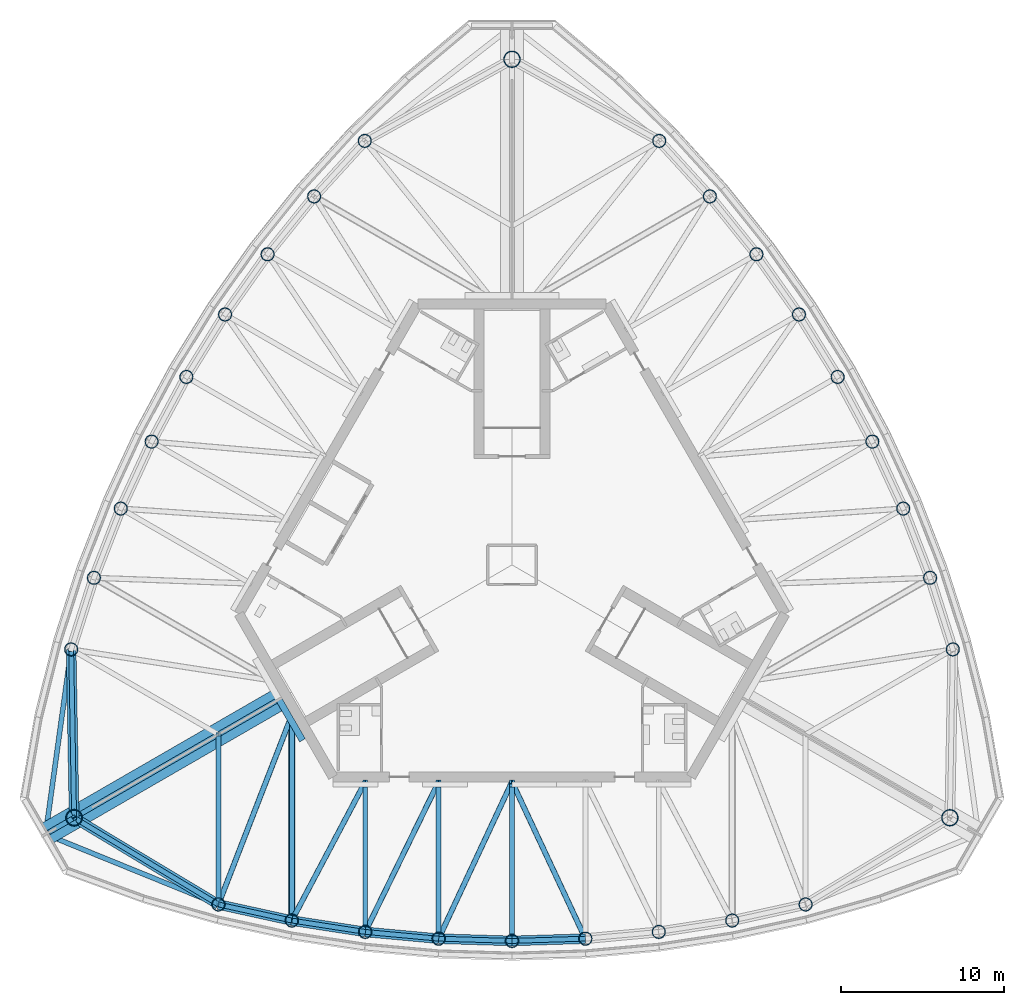
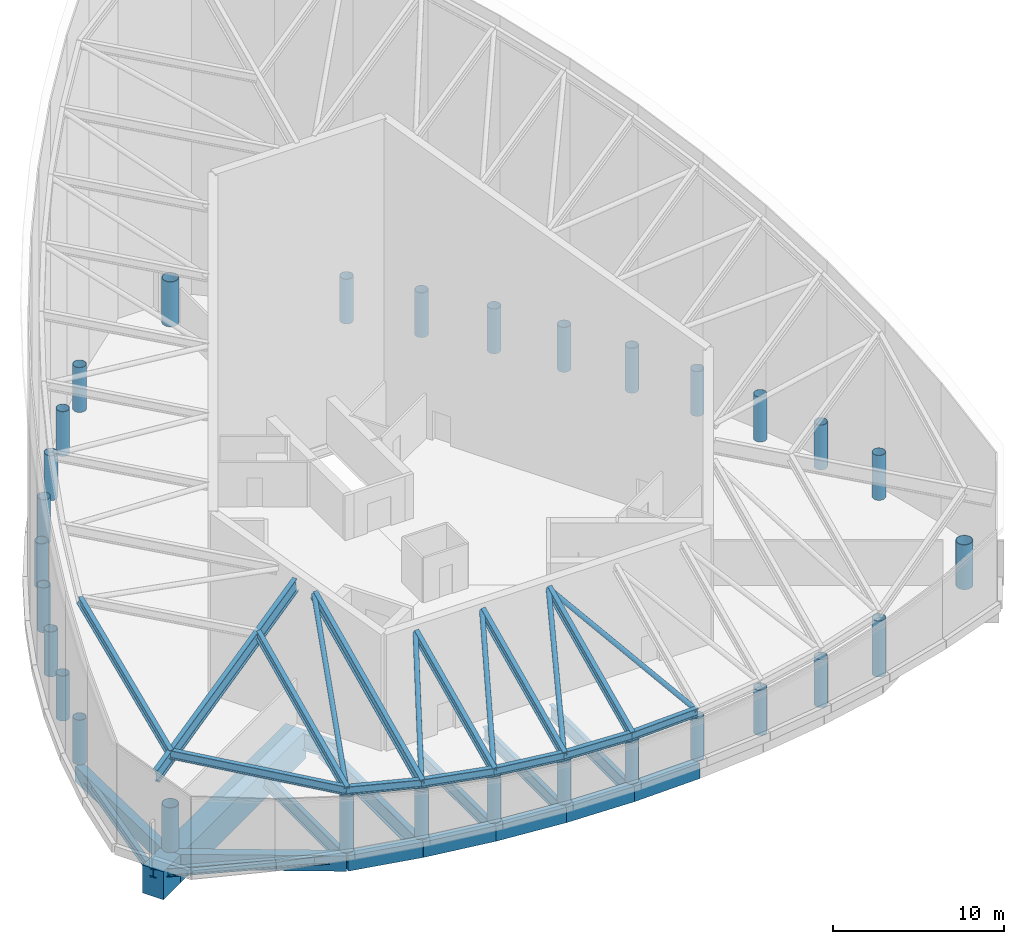
# One storey, part 1 of 10: 31 beams, 30 columns, 5 members.
"""IFC4 building model written with IfcOpenShell, lengths in metres."""

from ifc_helpers import new_model, si_unit, direction, frame, origin, origin_2d, place, context, subcontext, project, spatial, rectangle, hollow_circle, i_section, extrude, material, material_profile, profile_set, type_object, element, save


model = new_model("IFC4")

# Units and contexts
model_context = context("Model", 3, precision=1e-05, world=origin(), true_north=direction((0.0, 1.0)))
body_context = subcontext(model_context, "Body", "Model", "MODEL_VIEW")
ifc_project = project(units=[si_unit("LENGTHUNIT", "METRE"), si_unit("AREAUNIT", "SQUARE_METRE"), si_unit("VOLUMEUNIT", "CUBIC_METRE"), si_unit("PLANEANGLEUNIT", "RADIAN"), si_unit("MASSUNIT", "GRAM", prefix="KILO")], contexts=[model_context])

# Site, building, storey
site_placement = place(None, origin())
site = spatial("IfcSite", under=ifc_project, at=site_placement, CompositionType="ELEMENT")
building_placement = place(site_placement, origin())
building = spatial("IfcBuilding", under=site, at=building_placement, Name="Trefoil Bronze Tower", CompositionType="ELEMENT")
storey_placement = place(building_placement, frame((0.0, 0.0, 328.5)))
storey = spatial("IfcBuildingStorey", under=building, at=storey_placement, Name="RF", CompositionType="ELEMENT", Elevation=328.5)

# Columns
ifc_material_1 = material(Name="Steel C355", Category="steel")
ifc_material_profile_1 = material_profile(ifc_material_1, hollow_circle(Radius=0.406494140625, WallThickness=0.030029296875, at=origin_2d()), Name="CHS 813x30")
ifc_profile_set_1 = profile_set([ifc_material_profile_1], Name="Steel C355")
column_type_1 = type_object("IfcColumnType", Name="Crown column CHS 813x30", PredefinedType="COLUMN", material=ifc_profile_set_1)
column_1_placement = place(storey_placement, frame((-18.0, -20.816162109375, 0.0), z_axis=(0.0, 0.0, 1.0), x_axis=(1.0, 0.0, 0.0)))
element("IfcColumn", 1, at=column_1_placement, inside=storey, type_object=column_type_1, Name="Crown column F1/-4", PredefinedType="COLUMN", context=body_context, shape_type="SweptSolid", body=[
    extrude(hollow_circle(Radius=0.406494140625, WallThickness=0.030029296875, at=origin_2d()), origin(), (0.0, 0.0, 1.0), 4.006591796875),
])
column_2_placement = place(storey_placement, frame((-13.5, -21.802734375, 0.0), z_axis=(0.0, 0.0, 1.0), x_axis=(1.0, 0.0, 0.0)))
element("IfcColumn", 2, at=column_2_placement, inside=storey, type_object=column_type_1, Name="Crown column F1/-3", PredefinedType="COLUMN", context=body_context, shape_type="SweptSolid", body=[
    extrude(hollow_circle(Radius=0.406494140625, WallThickness=0.030029296875, at=origin_2d()), origin(), (0.0, 0.0, 1.0), 3.424560546875),
])
column_3_placement = place(storey_placement, frame((-9.0, -22.499267578125, 0.0), z_axis=(0.0, 0.0, 1.0), x_axis=(1.0, 0.0, 0.0)))
element("IfcColumn", 3, at=column_3_placement, inside=storey, type_object=column_type_1, Name="Crown column F1/-2", PredefinedType="COLUMN", context=body_context, shape_type="SweptSolid", body=[
    extrude(hollow_circle(Radius=0.406494140625, WallThickness=0.030029296875, at=origin_2d()), origin(), (0.0, 0.0, 1.0), 3.2216796875),
])
column_4_placement = place(storey_placement, frame((-4.5, -22.913818359375, 0.0), z_axis=(0.0, 0.0, 1.0), x_axis=(1.0, 0.0, 0.0)))
element("IfcColumn", 4, at=column_4_placement, inside=storey, type_object=column_type_1, Name="Crown column F1/-1", PredefinedType="COLUMN", context=body_context, shape_type="SweptSolid", body=[
    extrude(hollow_circle(Radius=0.406494140625, WallThickness=0.030029296875, at=origin_2d()), origin(), (0.0, 0.0, 1.0), 3.0283203125),
])
column_5_placement = place(storey_placement, frame((0.0, -23.051513671875, 0.0), z_axis=(0.0, 0.0, 1.0), x_axis=(1.0, 0.0, 0.0)))
element("IfcColumn", 5, at=column_5_placement, inside=storey, type_object=column_type_1, Name="Crown column F1/+0", PredefinedType="COLUMN", context=body_context, shape_type="SweptSolid", body=[
    extrude(hollow_circle(Radius=0.406494140625, WallThickness=0.030029296875, at=origin_2d()), origin(), (0.0, 0.0, 1.0), 2.964111328125),
])
column_6_placement = place(storey_placement, frame((4.5, -22.913818359375, 0.0), z_axis=(0.0, 0.0, 1.0), x_axis=(1.0, 0.0, 0.0)))
element("IfcColumn", 6, at=column_6_placement, inside=storey, type_object=column_type_1, Name="Crown column F1/+1", PredefinedType="COLUMN", context=body_context, shape_type="SweptSolid", body=[
    extrude(hollow_circle(Radius=0.406494140625, WallThickness=0.030029296875, at=origin_2d()), origin(), (0.0, 0.0, 1.0), 3.0283203125),
])
column_7_placement = place(storey_placement, frame((9.0, -22.499267578125, 0.0), z_axis=(0.0, 0.0, 1.0), x_axis=(1.0, 0.0, 0.0)))
element("IfcColumn", 7, at=column_7_placement, inside=storey, type_object=column_type_1, Name="Crown column F1/+2", PredefinedType="COLUMN", context=body_context, shape_type="SweptSolid", body=[
    extrude(hollow_circle(Radius=0.406494140625, WallThickness=0.030029296875, at=origin_2d()), origin(), (0.0, 0.0, 1.0), 3.2216796875),
])
column_8_placement = place(storey_placement, frame((13.5, -21.802734375, 0.0), z_axis=(0.0, 0.0, 1.0), x_axis=(1.0, 0.0, 0.0)))
element("IfcColumn", 8, at=column_8_placement, inside=storey, type_object=column_type_1, Name="Crown column F1/+3", PredefinedType="COLUMN", context=body_context, shape_type="SweptSolid", body=[
    extrude(hollow_circle(Radius=0.406494140625, WallThickness=0.030029296875, at=origin_2d()), origin(), (0.0, 0.0, 1.0), 3.424560546875),
])
column_9_placement = place(storey_placement, frame((18.0, -20.816162109375, 0.0), z_axis=(0.0, 0.0, 1.0), x_axis=(1.0, 0.0, 0.0)))
element("IfcColumn", 9, at=column_9_placement, inside=storey, type_object=column_type_1, Name="Crown column F1/+4", PredefinedType="COLUMN", context=body_context, shape_type="SweptSolid", body=[
    extrude(hollow_circle(Radius=0.406494140625, WallThickness=0.030029296875, at=origin_2d()), origin(), (0.0, 0.0, 1.0), 4.006591796875),
])
for number, where, z_axis, x_axis, name in (
    (10, (27.02734375, -5.180419921875, 0.0), (0.0, 0.0, 1.0), (1.0, 0.0, 0.0), "Crown column F2/-4"),
    (11, (25.631591796875, -0.7900390625, 0.0), (0.0, 0.0, 1.0), (1.0, 0.0, 0.0), "Crown column F2/-3"),
    (12, (23.98486328125, 3.455322265625, 0.0), (0.0, 0.0, 1.0), (1.0, 0.0, 0.0), "Crown column F2/-2"),
    (13, (22.093994140625, 7.559814453125, 0.0), (0.0, 0.0, 1.0), (1.0, 0.0, 0.0), "Crown column F2/-1"),
    (14, (19.96337890625, 11.52587890625, 0.0), (0.0, 0.0, 1.0), (1.0, 0.0, 0.0), "Crown column F2/+0"),
    (15, (17.593994140625, 15.35400390625, 0.0), (0.0, 0.0, 1.0), (1.0, 0.0, 0.0), "Crown column F2/+1"),
    (16, (14.98486328125, 19.043701171875, 0.0), (0.0, 0.0, 1.0), (1.0, 0.0, 0.0), "Crown column F2/+2"),
    (17, (12.131591796875, 22.5927734375, 0.0), (0.0, 0.0, 1.0), (1.0, 0.0, 0.0), "Crown column F2/+3"),
    (18, (9.02734375, 25.99658203125, 0.0), (0.0, 0.0, 1.0), (1.0, 0.0, 0.0), "Crown column F2/+4"),
    (19, (-9.02734375, 25.99658203125, 0.0), (0.0, 0.0, 1.0), (1.0, 0.0, 0.0), "Crown column F3/-4"),
    (20, (-12.131591796875, 22.5927734375, 0.0), (0.0, 0.0, 1.0), (1.0, 0.0, 0.0), "Crown column F3/-3"),
    (21, (-14.98486328125, 19.043701171875, 0.0), (0.0, 0.0, 1.0), (1.0, 0.0, 0.0), "Crown column F3/-2"),
    (22, (-17.593994140625, 15.35400390625, 0.0), (0.0, 0.0, 1.0), (1.0, 0.0, 0.0), "Crown column F3/-1"),
    (23, (-19.96337890625, 11.52587890625, 0.0), (0.0, 0.0, 1.0), (1.0, 0.0, 0.0), "Crown column F3/+0"),
    (24, (-22.093994140625, 7.559814453125, 0.0), (0.0, 0.0, 1.0), (1.0, 0.0, 0.0), "Crown column F3/+1"),
    (25, (-23.98486328125, 3.455322265625, 0.0), (0.0, 0.0, 1.0), (1.0, 0.0, 0.0), "Crown column F3/+2"),
    (26, (-25.631591796875, -0.7900390625, 0.0), (0.0, 0.0, 1.0), (1.0, 0.0, 0.0), "Crown column F3/+3"),
    (27, (-27.02734375, -5.180419921875, 0.0), (0.0, 0.0, 1.0), (1.0, 0.0, 0.0), "Crown column F3/+4"),
):
    element("IfcColumn", number, at=place(storey_placement, frame(where, z_axis=z_axis, x_axis=x_axis)), inside=storey, type_object=column_type_1, Name=name, PredefinedType="COLUMN", context=body_context, shape_type="SweptSolid", body=[
        extrude(hollow_circle(Radius=0.406494140625, WallThickness=0.030029296875, at=origin_2d()), origin(), (0.0, 0.0, 1.0), 3.199951171875),
    ])
ifc_material_2 = material(Name="Steel C355", Category="steel")
ifc_material_profile_2 = material_profile(ifc_material_2, hollow_circle(Radius=0.508056640625, WallThickness=0.0400390625, at=origin_2d()), Name="CHS 1016x40")
ifc_profile_set_2 = profile_set([ifc_material_profile_2], Name="Steel C355")
column_type_2 = type_object("IfcColumnType", Name="Crown mega column CHS 1016x40", PredefinedType="COLUMN", material=ifc_profile_set_2)
for number, where, z_axis, x_axis, name in (
    (28, (26.8466796875, -15.5, 0.0), (0.0, 0.0, 1.0), (1.0, 0.0, 0.0), "Crown corner column K1"),
    (29, (0.0, 31.0, 0.0), (0.0, 0.0, 1.0), (1.0, 0.0, 0.0), "Crown corner column K2"),
    (30, (-26.8466796875, -15.5, 0.0), (0.0, 0.0, 1.0), (1.0, 0.0, 0.0), "Crown corner column K3"),
):
    element("IfcColumn", number, at=place(storey_placement, frame(where, z_axis=z_axis, x_axis=x_axis)), inside=storey, type_object=column_type_2, Name=name, PredefinedType="COLUMN", context=body_context, shape_type="SweptSolid", body=[
        extrude(hollow_circle(Radius=0.508056640625, WallThickness=0.0400390625, at=origin_2d()), origin(), (0.0, 0.0, 1.0), 3.199951171875),
    ])

# Beams
ifc_material_3 = material(Name="Steel C355", Category="steel")
ifc_material_profile_3 = material_profile(ifc_material_3, i_section(OverallWidth=0.39990234375, OverallDepth=1.199951171875, WebThickness=0.02001953125, FlangeThickness=0.0400390625, FilletRadius=0.010009765625, at=origin_2d()), Name="WPG 1200")
ifc_profile_set_3 = profile_set([ifc_material_profile_3], Name="Steel C355")
beam_type_1 = type_object("IfcBeamType", Name="Core seat beam WPG 1200", PredefinedType="BEAM", material=ifc_profile_set_3)
beam_1_placement = place(storey_placement, frame((-14.289306640625, -8.25, -0.85009765625), z_axis=(0.499995765644, -0.866027848477, 0.0), x_axis=(0.866027848477, 0.499995765644, 0.0)))
element("IfcBeam", 31, at=beam_1_placement, inside=storey, type_object=beam_type_1, Name="Core seat beam F1/-3 RF", PredefinedType="BEAM", context=body_context, shape_type="SweptSolid", body=[
    extrude(i_section(OverallWidth=0.39990234375, OverallDepth=1.199951171875, WebThickness=0.02001953125, FlangeThickness=0.0400390625, FilletRadius=0.010009765625, at=origin_2d()), origin(), (0.0, 0.0, 1.0), 2.88671875),
])
ifc_material_4 = material(Name="Concrete B80", Category="concrete")
ifc_material_profile_4 = material_profile(ifc_material_4, rectangle(XDim=1.39990234375, YDim=2.0, at=origin_2d()), Name="RC 1400x2000")
ifc_profile_set_4 = profile_set([ifc_material_profile_4], Name="Concrete B80")
beam_type_2 = type_object("IfcBeamType", Name="Corner cantilever RC 1400x2000", PredefinedType="BEAM", material=ifc_profile_set_4)
beam_2_placement = place(storey_placement, frame((-26.8466796875, -15.5, -1.25), z_axis=(-0.866010470582, -0.500025864173, 0.0), x_axis=(0.500025864173, -0.866010470582, 0.0)))
element("IfcBeam", 32, at=beam_2_placement, inside=storey, type_object=beam_type_2, Name="Corner cantilever K3 RF", PredefinedType="BEAM", context=body_context, shape_type="SweptSolid", body=[
    extrude(rectangle(XDim=1.39990234375, YDim=2.0, at=origin_2d()), origin(), (0.0, 0.0, 1.0), 2.02001953125),
])
ifc_material_5 = material(Name="Steel C355", Category="steel")
ifc_material_profile_5 = material_profile(ifc_material_5, i_section(OverallWidth=0.300048828125, OverallDepth=0.60009765625, WebThickness=0.015380859375, FlangeThickness=0.030029296875, FilletRadius=0.027099609375, at=origin_2d()), Name="HEB 600")
ifc_profile_set_5 = profile_set([ifc_material_profile_5], Name="Steel C355")
beam_type_3 = type_object("IfcBeamType", Name="Corner edge beam HEB 600", PredefinedType="BEAM", material=ifc_profile_set_5)
beam_3_placement = place(storey_placement, frame((-18.0, -20.816162109375, -0.550048828125), z_axis=(-0.926419351914, 0.376493272714, 0.0), x_axis=(-0.376493272714, -0.926419351914, 0.0)))
element("IfcBeam", 33, at=beam_3_placement, inside=storey, type_object=beam_type_3, Name="Corner edge beam F1B RF", PredefinedType="BEAM", context=body_context, shape_type="SweptSolid", body=[
    extrude(i_section(OverallWidth=0.300048828125, OverallDepth=0.60009765625, WebThickness=0.015380859375, FlangeThickness=0.030029296875, FilletRadius=0.027099609375, at=origin_2d()), origin(), (0.0, 0.0, 1.0), 11.4375),
])
beam_4_placement = place(storey_placement, frame((-27.02734375, -5.180419921875, -0.550048828125), z_axis=(-0.137143714313, -0.990551160529, 0.0), x_axis=(0.990551160529, -0.137143714313, 0.0)))
element("IfcBeam", 34, at=beam_4_placement, inside=storey, type_object=beam_type_3, Name="Corner edge beam F3A RF", PredefinedType="BEAM", context=body_context, shape_type="SweptSolid", body=[
    extrude(i_section(OverallWidth=0.300048828125, OverallDepth=0.60009765625, WebThickness=0.015380859375, FlangeThickness=0.030029296875, FilletRadius=0.027099609375, at=origin_2d()), origin(), (0.0, 0.0, 1.0), 11.437744140625),
])
ifc_material_6 = material(Name="Concrete B80", Category="concrete")
ifc_material_profile_6 = material_profile(ifc_material_6, rectangle(XDim=1.39990234375, YDim=2.0, at=origin_2d()), Name="RC 1400x2000")
ifc_profile_set_6 = profile_set([ifc_material_profile_6], Name="Concrete B80")
beam_type_4 = type_object("IfcBeamType", Name="Corner girder RC 1400x2000", PredefinedType="BEAM", material=ifc_profile_set_6)
beam_5_placement = place(storey_placement, frame((-14.1162109375, -8.14990234375, -1.25), z_axis=(-0.86602074674, -0.500008066151, 0.0), x_axis=(0.500008066151, -0.86602074674, 0.0)))
element("IfcBeam", 35, at=beam_5_placement, inside=storey, type_object=beam_type_4, Name="Corner girder K3 RF", PredefinedType="BEAM", context=body_context, shape_type="SweptSolid", body=[
    extrude(rectangle(XDim=1.39990234375, YDim=2.0, at=origin_2d()), origin(), (0.0, 0.0, 1.0), 14.699951171875),
])
ifc_material_7 = material(Name="Steel C355", Category="steel")
ifc_material_profile_7 = material_profile(ifc_material_7, i_section(OverallWidth=0.300048828125, OverallDepth=0.60009765625, WebThickness=0.015380859375, FlangeThickness=0.030029296875, FilletRadius=0.027099609375, at=origin_2d()), Name="HEB 600")
ifc_profile_set_7 = profile_set([ifc_material_profile_7], Name="Steel C355")
beam_type_5 = type_object("IfcBeamType", Name="Crown edge beam HEB 600", PredefinedType="BEAM", material=ifc_profile_set_7)
beam_6_placement = place(storey_placement, frame((-26.8466796875, -15.5, 6.748046875), z_axis=(0.833418205119, -0.500819114043, -0.233654253941), x_axis=(0.515076563855, 0.857144173035, 0.0)))
element("IfcBeam", 36, at=beam_6_placement, inside=storey, type_object=beam_type_5, Name="Crown edge beam F1.1", PredefinedType="BEAM", context=body_context, shape_type="SweptSolid", body=[
    extrude(i_section(OverallWidth=0.300048828125, OverallDepth=0.60009765625, WebThickness=0.015380859375, FlangeThickness=0.030029296875, FilletRadius=0.027099609375, at=origin_2d()), origin(), (0.0, 0.0, 1.0), 10.614990234375),
])
beam_7_placement = place(storey_placement, frame((-18.0, -20.816162109375, 4.267822265625), z_axis=(0.971962746474, -0.213091441976, -0.099400487039), x_axis=(0.214152028182, 0.976800342355, 0.0)))
element("IfcBeam", 37, at=beam_7_placement, inside=storey, type_object=beam_type_5, Name="Crown edge beam F1.2", PredefinedType="BEAM", context=body_context, shape_type="SweptSolid", body=[
    extrude(i_section(OverallWidth=0.300048828125, OverallDepth=0.60009765625, WebThickness=0.015380859375, FlangeThickness=0.030029296875, FilletRadius=0.027099609375, at=origin_2d()), origin(), (0.0, 0.0, 1.0), 4.6298828125),
])
beam_8_placement = place(storey_placement, frame((-13.5, -21.802734375, 3.8076171875), z_axis=(0.985728869191, -0.152576197038, -0.071127354385), x_axis=(0.152963616816, 0.988231820946, 0.0)))
element("IfcBeam", 38, at=beam_8_placement, inside=storey, type_object=beam_type_5, Name="Crown edge beam F1.3", PredefinedType="BEAM", context=body_context, shape_type="SweptSolid", body=[
    extrude(i_section(OverallWidth=0.300048828125, OverallDepth=0.60009765625, WebThickness=0.015380859375, FlangeThickness=0.030029296875, FilletRadius=0.027099609375, at=origin_2d()), origin(), (0.0, 0.0, 1.0), 4.565185546875),
])
beam_9_placement = place(storey_placement, frame((-9.0, -22.499267578125, 3.48291015625), z_axis=(0.994873271604, -0.091650109331, -0.042748460889), x_axis=(0.091733966402, 0.995783550481, 0.0)))
element("IfcBeam", 39, at=beam_9_placement, inside=storey, type_object=beam_type_5, Name="Crown edge beam F1.4", PredefinedType="BEAM", context=body_context, shape_type="SweptSolid", body=[
    extrude(i_section(OverallWidth=0.300048828125, OverallDepth=0.60009765625, WebThickness=0.015380859375, FlangeThickness=0.030029296875, FilletRadius=0.027099609375, at=origin_2d()), origin(), (0.0, 0.0, 1.0), 4.523193359375),
])
for number, where, z_axis, x_axis, name in (
    (40, (-4.5, -22.913818359375, 3.28955078125), (0.999430541294, -0.03058153349, -0.01426053778), (0.03058464354, 0.999532180362, 0.0), "Crown edge beam F1.5"),
    (41, (0.0, -23.051513671875, 3.225341796875), (0.999430541294, 0.03058153349, 0.01426053778), (-0.03058464354, 0.999532180362, 0.0), "Crown edge beam F1.6"),
):
    element("IfcBeam", number, at=place(storey_placement, frame(where, z_axis=z_axis, x_axis=x_axis)), inside=storey, type_object=beam_type_5, Name=name, PredefinedType="BEAM", context=body_context, shape_type="SweptSolid", body=[
        extrude(i_section(OverallWidth=0.300048828125, OverallDepth=0.60009765625, WebThickness=0.015380859375, FlangeThickness=0.030029296875, FilletRadius=0.027099609375, at=origin_2d()), origin(), (0.0, 0.0, 1.0), 4.502685546875),
    ])
beam_10_placement = place(storey_placement, frame((-27.02734375, -5.180419921875, 11.5791015625), z_axis=(0.015874908179, -0.906779045673, -0.421307191511), x_axis=(0.999846789094, 0.017504237714, 0.0)))
element("IfcBeam", 42, at=beam_10_placement, inside=storey, type_object=beam_type_5, Name="Crown edge beam F3.10", PredefinedType="BEAM", context=body_context, shape_type="SweptSolid", body=[
    extrude(i_section(OverallWidth=0.300048828125, OverallDepth=0.60009765625, WebThickness=0.015380859375, FlangeThickness=0.030029296875, FilletRadius=0.027099609375, at=origin_2d()), origin(), (0.0, 0.0, 1.0), 11.38037109375),
])
ifc_material_8 = material(Name="Steel C355", Category="steel")
ifc_material_profile_8 = material_profile(ifc_material_8, i_section(OverallWidth=0.302001953125, OverallDepth=1.008056640625, WebThickness=0.02099609375, FlangeThickness=0.0400390625, FilletRadius=0.030029296875, at=origin_2d()), Name="HEM 1000")
ifc_profile_set_8 = profile_set([ifc_material_profile_8], Name="Steel C355")
beam_type_6 = type_object("IfcBeamType", Name="Crown girder HEM 1000", PredefinedType="BEAM", material=ifc_profile_set_8)
beam_11_placement = place(storey_placement, frame((-14.1162109375, -8.14990234375, 9.96533203125), z_axis=(-0.843401518478, -0.486948567722, -0.227057197691), x_axis=(0.500008066151, -0.86602074674, 0.0)))
element("IfcBeam", 43, at=beam_11_placement, inside=storey, type_object=beam_type_6, Name="Crown girder K3", PredefinedType="BEAM", context=body_context, shape_type="SweptSolid", body=[
    extrude(i_section(OverallWidth=0.302001953125, OverallDepth=1.008056640625, WebThickness=0.02099609375, FlangeThickness=0.0400390625, FilletRadius=0.030029296875, at=origin_2d()), origin(), (0.0, 0.0, 1.0), 15.09423828125),
])
beam_12_placement = place(storey_placement, frame((-26.8466796875, -15.5, 6.5380859375), z_axis=(-0.843376804492, -0.48699633416, -0.227046550644), x_axis=(0.50005583908, -0.865993162676, 0.0)))
element("IfcBeam", 44, at=beam_12_placement, inside=storey, type_object=beam_type_6, Name="Crown cantilever K3", PredefinedType="BEAM", context=body_context, shape_type="SweptSolid", body=[
    extrude(i_section(OverallWidth=0.302001953125, OverallDepth=1.008056640625, WebThickness=0.02099609375, FlangeThickness=0.0400390625, FilletRadius=0.030029296875, at=origin_2d()), origin(), (0.0, 0.0, 1.0), 1.714111328125),
])
ifc_material_9 = material(Name="Steel C355", Category="steel")
ifc_material_profile_9 = material_profile(ifc_material_9, i_section(OverallWidth=0.300048828125, OverallDepth=0.60009765625, WebThickness=0.015380859375, FlangeThickness=0.030029296875, FilletRadius=0.027099609375, at=origin_2d()), Name="HEB 600")
ifc_profile_set_9 = profile_set([ifc_material_profile_9], Name="Steel C355")
beam_type_7 = type_object("IfcBeamType", Name="Crown rafter HEB 600", PredefinedType="BEAM", material=ifc_profile_set_9)
beam_13_placement = place(storey_placement, frame((-18.0, -20.816162109375, 4.306640625), z_axis=(0.0, 0.906311622721, 0.422610035993), x_axis=(-1.0, 0.0, 0.0)))
element("IfcBeam", 45, at=beam_13_placement, inside=storey, type_object=beam_type_7, Name="Crown rafter F1/-4", PredefinedType="BEAM", context=body_context, shape_type="SweptSolid", body=[
    extrude(i_section(OverallWidth=0.300048828125, OverallDepth=0.60009765625, WebThickness=0.015380859375, FlangeThickness=0.030029296875, FilletRadius=0.027099609375, at=origin_2d()), origin(), (0.0, 0.0, 1.0), 11.50146484375),
])
beam_14_placement = place(storey_placement, frame((-9.0, -22.499267578125, 3.521728515625), z_axis=(0.0, 0.906302927829, 0.422628682189), x_axis=(-1.0, 0.0, 0.0)))
element("IfcBeam", 46, at=beam_14_placement, inside=storey, type_object=beam_type_7, Name="Crown rafter F1/-2", PredefinedType="BEAM", context=body_context, shape_type="SweptSolid", body=[
    extrude(i_section(OverallWidth=0.300048828125, OverallDepth=0.60009765625, WebThickness=0.015380859375, FlangeThickness=0.030029296875, FilletRadius=0.027099609375, at=origin_2d()), origin(), (0.0, 0.0, 1.0), 10.150390625),
])
beam_15_placement = place(storey_placement, frame((-4.5, -22.913818359375, 3.328369140625), z_axis=(0.0, 0.906301289639, 0.422632195176), x_axis=(-1.0, 0.0, 0.0)))
element("IfcBeam", 47, at=beam_15_placement, inside=storey, type_object=beam_type_7, Name="Crown rafter F1/-1", PredefinedType="BEAM", context=body_context, shape_type="SweptSolid", body=[
    extrude(i_section(OverallWidth=0.300048828125, OverallDepth=0.60009765625, WebThickness=0.015380859375, FlangeThickness=0.030029296875, FilletRadius=0.027099609375, at=origin_2d()), origin(), (0.0, 0.0, 1.0), 10.607666015625),
])
beam_16_placement = place(storey_placement, frame((0.0, -23.051513671875, 3.26416015625), z_axis=(0.0, 0.906301359825, 0.422632044667), x_axis=(-1.0, 0.0, 0.0)))
element("IfcBeam", 48, at=beam_16_placement, inside=storey, type_object=beam_type_7, Name="Crown rafter F1/+0", PredefinedType="BEAM", context=body_context, shape_type="SweptSolid", body=[
    extrude(i_section(OverallWidth=0.300048828125, OverallDepth=0.60009765625, WebThickness=0.015380859375, FlangeThickness=0.030029296875, FilletRadius=0.027099609375, at=origin_2d()), origin(), (0.0, 0.0, 1.0), 10.759521484375),
])
ifc_material_10 = material(Name="Steel C355", Category="steel")
ifc_material_profile_10 = material_profile(ifc_material_10, i_section(OverallWidth=0.303955078125, OverallDepth=0.716064453125, WebThickness=0.02099609375, FlangeThickness=0.0400390625, FilletRadius=0.027099609375, at=origin_2d()), Name="HEM 700")
ifc_profile_set_10 = profile_set([ifc_material_profile_10], Name="Steel C355")
beam_type_8 = type_object("IfcBeamType", Name="Crown rafter HEM 700", PredefinedType="BEAM", material=ifc_profile_set_10)
beam_17_placement = place(storey_placement, frame((-13.5, -21.802734375, 3.782470703125), z_axis=(0.0, 0.906308862974, 0.422615954378), x_axis=(-1.0, 0.0, 0.0)))
element("IfcBeam", 49, at=beam_17_placement, inside=storey, type_object=beam_type_8, Name="Crown rafter F1/-3", PredefinedType="BEAM", context=body_context, shape_type="SweptSolid", body=[
    extrude(i_section(OverallWidth=0.303955078125, OverallDepth=0.716064453125, WebThickness=0.02099609375, FlangeThickness=0.0400390625, FilletRadius=0.027099609375, at=origin_2d()), origin(), (0.0, 0.0, 1.0), 13.886474609375),
])

# Members
ifc_material_11 = material(Name="Steel C355", Category="steel")
ifc_material_profile_11 = material_profile(ifc_material_11, hollow_circle(Radius=0.161865234375, WallThickness=0.012451171875, at=origin_2d()), Name="CHS 323.9x12.5")
ifc_profile_set_11 = profile_set([ifc_material_profile_11], Name="Steel C355")
member_type = type_object("IfcMemberType", Name="Crown roof brace CHS 323.9x12.5", PredefinedType="BRACE", material=ifc_profile_set_11)
member_1_placement = place(storey_placement, frame((-18.0, -20.816162109375, 4.306640625), z_axis=(0.332334241054, 0.856600882066, 0.394701002111), x_axis=(-0.932294202028, 0.361700872083, 0.0)))
element("IfcMember", 50, at=member_1_placement, inside=storey, type_object=member_type, Name="Crown roof brace F1.1", PredefinedType="BRACE", context=body_context, shape_type="SweptSolid", body=[
    extrude(hollow_circle(Radius=0.161865234375, WallThickness=0.012451171875, at=origin_2d()), origin(), (0.0, 0.0, 1.0), 13.54052734375),
])
member_2_placement = place(storey_placement, frame((-13.5, -21.802734375, 3.782470703125), z_axis=(0.431459591135, 0.81523671769, 0.386305210097), x_axis=(-0.883849022427, 0.467772279593, 0.0)))
element("IfcMember", 51, at=member_2_placement, inside=storey, type_object=member_type, Name="Crown roof brace F1.2", PredefinedType="BRACE", context=body_context, shape_type="SweptSolid", body=[
    extrude(hollow_circle(Radius=0.161865234375, WallThickness=0.012451171875, at=origin_2d()), origin(), (0.0, 0.0, 1.0), 10.4296875),
])
member_3_placement = place(storey_placement, frame((-9.0, -22.499267578125, 3.521728515625), z_axis=(0.405293635165, 0.828529957303, 0.386361461777), x_axis=(-0.89828399934, 0.439415357639, 0.0)))
element("IfcMember", 52, at=member_3_placement, inside=storey, type_object=member_type, Name="Crown roof brace F1.3", PredefinedType="BRACE", context=body_context, shape_type="SweptSolid", body=[
    extrude(hollow_circle(Radius=0.161865234375, WallThickness=0.012451171875, at=origin_2d()), origin(), (0.0, 0.0, 1.0), 11.10302734375),
])
for number, where, z_axis, x_axis, name in (
    (53, (-4.5, -22.913818359375, 3.328369140625), (0.390532554309, 0.834331104794, 0.38907059976), (-0.905692481276, 0.423935289118, 0.0), "Crown roof brace F1.4"),
    (54, (4.5, -22.913818359375, 3.328369140625), (-0.390532554309, 0.834331104794, 0.38907059976), (-0.905692481276, -0.423935289118, 0.0), "Crown roof brace F1.5"),
):
    element("IfcMember", number, at=place(storey_placement, frame(where, z_axis=z_axis, x_axis=x_axis)), inside=storey, type_object=member_type, Name=name, PredefinedType="BRACE", context=body_context, shape_type="SweptSolid", body=[
        extrude(hollow_circle(Radius=0.161865234375, WallThickness=0.012451171875, at=origin_2d()), origin(), (0.0, 0.0, 1.0), 11.522705078125),
    ])

# Beams
ifc_material_12 = material(Name="Concrete B80", Category="concrete")
ifc_material_profile_12 = material_profile(ifc_material_12, rectangle(XDim=0.60009765625, YDim=1.10009765625, at=origin_2d()), Name="RC 600x1100")
ifc_profile_set_12 = profile_set([ifc_material_profile_12], Name="Concrete B80")
beam_type_9 = type_object("IfcBeamType", Name="End spandrel beam RC 600x1100", PredefinedType="SPANDREL", material=ifc_profile_set_12)
for number, where, z_axis, x_axis, name in (
    (55, (-26.8466796875, -15.5, -0.800048828125), (0.857144173035, -0.515076563855, 0.0), (0.515076563855, 0.857144173035, 0.0), "Spandrel F1.1 RF"),
    (56, (-27.02734375, -5.180419921875, -0.800048828125), (0.017504237714, -0.999846789094, 0.0), (0.999846789094, 0.017504237714, 0.0), "Spandrel F3.10 RF"),
):
    element("IfcBeam", number, at=place(storey_placement, frame(where, z_axis=z_axis, x_axis=x_axis)), inside=storey, type_object=beam_type_9, Name=name, PredefinedType="SPANDREL", context=body_context, shape_type="SweptSolid", body=[
        extrude(rectangle(XDim=0.60009765625, YDim=1.10009765625, at=origin_2d()), origin(), (0.0, 0.0, 1.0), 10.321044921875),
    ])
ifc_material_13 = material(Name="Steel C355", Category="steel")
ifc_material_profile_13 = material_profile(ifc_material_13, i_section(OverallWidth=0.300048828125, OverallDepth=1.0, WebThickness=0.01904296875, FlangeThickness=0.035888671875, FilletRadius=0.030029296875, at=origin_2d()), Name="HEB 1000")
ifc_profile_set_13 = profile_set([ifc_material_profile_13], Name="Steel C355")
beam_type_10 = type_object("IfcBeamType", Name="Floor beam HEB 1000", PredefinedType="BEAM", material=ifc_profile_set_13)
beam_18_placement = place(storey_placement, frame((0.0, -23.051513671875, -0.75), z_axis=(0.0, 1.0, 0.0), x_axis=(-1.0, 0.0, 0.0)))
element("IfcBeam", 57, at=beam_18_placement, inside=storey, type_object=beam_type_10, Name="Floor beam F1/+0 RF", PredefinedType="BEAM", context=body_context, shape_type="SweptSolid", body=[
    extrude(i_section(OverallWidth=0.300048828125, OverallDepth=1.0, WebThickness=0.01904296875, FlangeThickness=0.035888671875, FilletRadius=0.030029296875, at=origin_2d()), origin(), (0.0, 0.0, 1.0), 9.451416015625),
])
ifc_material_14 = material(Name="Steel C355", Category="steel")
ifc_material_profile_14 = material_profile(ifc_material_14, i_section(OverallWidth=0.300048828125, OverallDepth=0.89990234375, WebThickness=0.0185546875, FlangeThickness=0.034912109375, FilletRadius=0.030029296875, at=origin_2d()), Name="HEB 900")
ifc_profile_set_14 = profile_set([ifc_material_profile_14], Name="Steel C355")
beam_type_11 = type_object("IfcBeamType", Name="Floor beam HEB 900", PredefinedType="BEAM", material=ifc_profile_set_14)
beam_19_placement = place(storey_placement, frame((-9.0, -22.499267578125, -0.699951171875), z_axis=(0.0, 1.0, 0.0), x_axis=(-1.0, 0.0, 0.0)))
element("IfcBeam", 58, at=beam_19_placement, inside=storey, type_object=beam_type_11, Name="Floor beam F1/-2 RF", PredefinedType="BEAM", context=body_context, shape_type="SweptSolid", body=[
    extrude(i_section(OverallWidth=0.300048828125, OverallDepth=0.89990234375, WebThickness=0.0185546875, FlangeThickness=0.034912109375, FilletRadius=0.030029296875, at=origin_2d()), origin(), (0.0, 0.0, 1.0), 8.899169921875),
])
beam_20_placement = place(storey_placement, frame((-4.5, -22.913818359375, -0.699951171875), z_axis=(0.0, 1.0, 0.0), x_axis=(-1.0, 0.0, 0.0)))
element("IfcBeam", 59, at=beam_20_placement, inside=storey, type_object=beam_type_11, Name="Floor beam F1/-1 RF", PredefinedType="BEAM", context=body_context, shape_type="SweptSolid", body=[
    extrude(i_section(OverallWidth=0.300048828125, OverallDepth=0.89990234375, WebThickness=0.0185546875, FlangeThickness=0.034912109375, FilletRadius=0.030029296875, at=origin_2d()), origin(), (0.0, 0.0, 1.0), 9.313720703125),
])
ifc_material_15 = material(Name="Steel C355", Category="steel")
ifc_material_profile_15 = material_profile(ifc_material_15, i_section(OverallWidth=0.302001953125, OverallDepth=1.008056640625, WebThickness=0.02099609375, FlangeThickness=0.0400390625, FilletRadius=0.030029296875, at=origin_2d()), Name="HEM 1000")
ifc_profile_set_15 = profile_set([ifc_material_profile_15], Name="Steel C355")
beam_type_12 = type_object("IfcBeamType", Name="Floor beam HEM 1000", PredefinedType="BEAM", material=ifc_profile_set_15)
beam_21_placement = place(storey_placement, frame((-18.0, -20.816162109375, -0.75390625), z_axis=(0.0, 1.0, 0.0), x_axis=(-1.0, 0.0, 0.0)))
element("IfcBeam", 60, at=beam_21_placement, inside=storey, type_object=beam_type_12, Name="Floor beam F1/-4 RF", PredefinedType="BEAM", context=body_context, shape_type="SweptSolid", body=[
    extrude(i_section(OverallWidth=0.302001953125, OverallDepth=1.008056640625, WebThickness=0.02099609375, FlangeThickness=0.0400390625, FilletRadius=0.030029296875, at=origin_2d()), origin(), (0.0, 0.0, 1.0), 10.423828125),
])
ifc_material_16 = material(Name="Steel C355", Category="steel")
ifc_material_profile_16 = material_profile(ifc_material_16, i_section(OverallWidth=0.39990234375, OverallDepth=1.199951171875, WebThickness=0.02001953125, FlangeThickness=0.0400390625, FilletRadius=0.010009765625, at=origin_2d()), Name="WPG 1200")
ifc_profile_set_16 = profile_set([ifc_material_profile_16], Name="Steel C355")
beam_type_13 = type_object("IfcBeamType", Name="Floor beam WPG 1200", PredefinedType="BEAM", material=ifc_profile_set_16)
beam_22_placement = place(storey_placement, frame((-13.5, -21.802734375, -0.85009765625), z_axis=(0.0, 1.0, 0.0), x_axis=(-1.0, 0.0, 0.0)))
element("IfcBeam", 61, at=beam_22_placement, inside=storey, type_object=beam_type_13, Name="Floor beam F1/-3 RF", PredefinedType="BEAM", context=body_context, shape_type="SweptSolid", body=[
    extrude(i_section(OverallWidth=0.39990234375, OverallDepth=1.199951171875, WebThickness=0.02001953125, FlangeThickness=0.0400390625, FilletRadius=0.010009765625, at=origin_2d()), origin(), (0.0, 0.0, 1.0), 11.785400390625),
])
ifc_material_17 = material(Name="Concrete B80", Category="concrete")
ifc_material_profile_17 = material_profile(ifc_material_17, rectangle(XDim=0.60009765625, YDim=1.10009765625, at=origin_2d()), Name="RC 600x1100")
ifc_profile_set_17 = profile_set([ifc_material_profile_17], Name="Concrete B80")
beam_type_14 = type_object("IfcBeamType", Name="Spandrel beam RC 600x1100", PredefinedType="SPANDREL", material=ifc_profile_set_17)
beam_23_placement = place(storey_placement, frame((-18.0, -20.816162109375, -0.800048828125), z_axis=(0.976800342355, -0.214152028182, 0.0), x_axis=(0.214152028182, 0.976800342355, 0.0)))
element("IfcBeam", 62, at=beam_23_placement, inside=storey, type_object=beam_type_14, Name="Spandrel F1.2 RF", PredefinedType="SPANDREL", context=body_context, shape_type="SweptSolid", body=[
    extrude(rectangle(XDim=0.60009765625, YDim=1.10009765625, at=origin_2d()), origin(), (0.0, 0.0, 1.0), 4.60693359375),
])
beam_24_placement = place(storey_placement, frame((-13.5, -21.802734375, -0.800048828125), z_axis=(0.988231820946, -0.152963616816, 0.0), x_axis=(0.152963616816, 0.988231820946, 0.0)))
element("IfcBeam", 63, at=beam_24_placement, inside=storey, type_object=beam_type_14, Name="Spandrel F1.3 RF", PredefinedType="SPANDREL", context=body_context, shape_type="SweptSolid", body=[
    extrude(rectangle(XDim=0.60009765625, YDim=1.10009765625, at=origin_2d()), origin(), (0.0, 0.0, 1.0), 4.553466796875),
])
beam_25_placement = place(storey_placement, frame((-9.0, -22.499267578125, -0.800048828125), z_axis=(0.995783550481, -0.091733966402, 0.0), x_axis=(0.091733966402, 0.995783550481, 0.0)))
element("IfcBeam", 64, at=beam_25_placement, inside=storey, type_object=beam_type_14, Name="Spandrel F1.4 RF", PredefinedType="SPANDREL", context=body_context, shape_type="SweptSolid", body=[
    extrude(rectangle(XDim=0.60009765625, YDim=1.10009765625, at=origin_2d()), origin(), (0.0, 0.0, 1.0), 4.51904296875),
])
for number, where, z_axis, x_axis, name in (
    (65, (-4.5, -22.913818359375, -0.800048828125), (0.999532180362, -0.03058464354, 0.0), (0.03058464354, 0.999532180362, 0.0), "Spandrel F1.5 RF"),
    (66, (0.0, -23.051513671875, -0.800048828125), (0.999532180362, 0.03058464354, 0.0), (-0.03058464354, 0.999532180362, 0.0), "Spandrel F1.6 RF"),
):
    element("IfcBeam", number, at=place(storey_placement, frame(where, z_axis=z_axis, x_axis=x_axis)), inside=storey, type_object=beam_type_14, Name=name, PredefinedType="SPANDREL", context=body_context, shape_type="SweptSolid", body=[
        extrude(rectangle(XDim=0.60009765625, YDim=1.10009765625, at=origin_2d()), origin(), (0.0, 0.0, 1.0), 4.502197265625),
    ])

save(model, "model.ifc")
